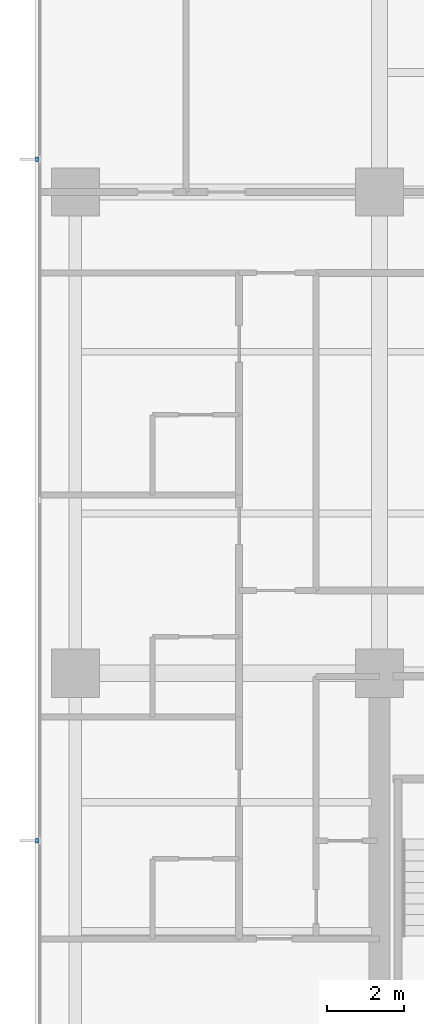
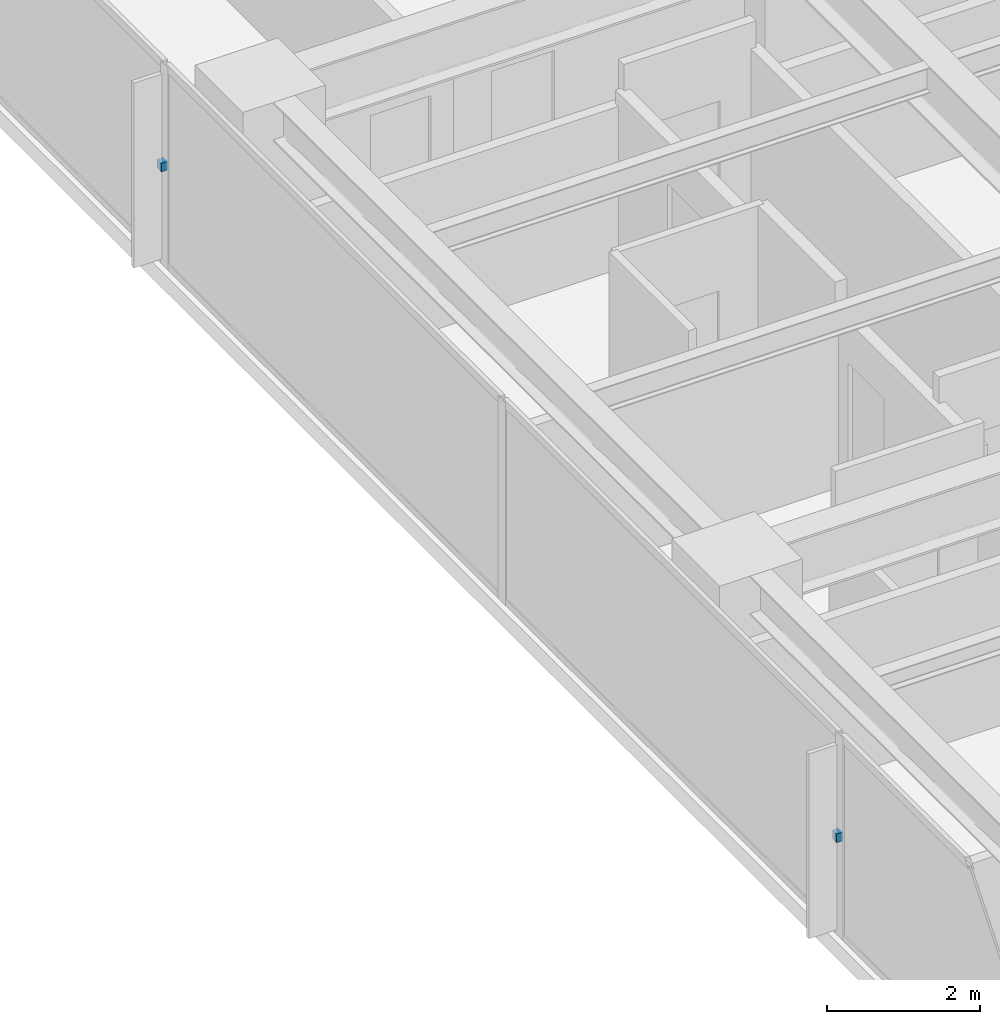
# One storey, part 13 of 17: 2 discrete accessories.
"""IFC4 building model written with IfcOpenShell, lengths in metres."""

from ifc_helpers import new_model, si_unit, direction, frame, origin, place, context, subcontext, project, spatial, polyline, outline, extrude, material, type_object, element, save


model = new_model("IFC4")

# Units and contexts
model_context = context("Model", 3, precision=1e-05, world=origin(), true_north=direction((0.0, 1.0)))
body_context = subcontext(model_context, "Body", "Model", "MODEL_VIEW")
ifc_project = project(units=[si_unit("LENGTHUNIT", "METRE"), si_unit("AREAUNIT", "SQUARE_METRE"), si_unit("VOLUMEUNIT", "CUBIC_METRE"), si_unit("PLANEANGLEUNIT", "RADIAN"), si_unit("MASSUNIT", "GRAM", prefix="KILO")], contexts=[model_context])

# Site, building, storey
site_placement = place(None, origin())
site = spatial("IfcSite", under=ifc_project, at=site_placement, CompositionType="ELEMENT")
building_placement = place(site_placement, origin())
building = spatial("IfcBuilding", under=site, at=building_placement, Name="Qalmaran Belvedere Hotel", CompositionType="ELEMENT")
storey_placement = place(building_placement, frame((0.0, 0.0, 119.699951171875)))
storey = spatial("IfcBuildingStorey", under=building, at=storey_placement, Name="L30", CompositionType="ELEMENT", Elevation=119.699951171875)

# Discrete accessories
ifc_material = material(Name="Stainless Steel 1.4401", Category="steel")
discrete_accessory_type = type_object("IfcDiscreteAccessoryType", Name="BRK-FIN-SS316", PredefinedType="BRACKET", material=ifc_material)
discrete_accessory_1_placement = place(storey_placement, frame((0.0, 0.0, 1.570068359375)))
element("IfcDiscreteAccessory", 1, at=discrete_accessory_1_placement, inside=storey, type_object=discrete_accessory_type, Name="L30 Fin Bracket 1", PredefinedType="BRACKET", context=body_context, shape_type="SweptSolid", body=[
    extrude(outline(polyline([(11.455078125, 33.905029296875), (11.360107421875, 33.905029296875), (11.360107421875, 33.794921875), (11.455078125, 33.794921875), (11.455078125, 33.905029296875)])), origin(), (0.0, 0.0, 1.0), 0.139892578125),
])
discrete_accessory_2_placement = place(storey_placement, frame((0.0, 0.0, 1.570068359375)))
element("IfcDiscreteAccessory", 2, at=discrete_accessory_2_placement, inside=storey, type_object=discrete_accessory_type, Name="L30 Fin Bracket 3", PredefinedType="BRACKET", context=body_context, shape_type="SweptSolid", body=[
    extrude(outline(polyline([(11.455078125, 16.205078125), (11.360107421875, 16.205078125), (11.360107421875, 16.094970703125), (11.455078125, 16.094970703125), (11.455078125, 16.205078125)])), origin(), (0.0, 0.0, 1.0), 0.139892578125),
])

save(model, "model.ifc")
